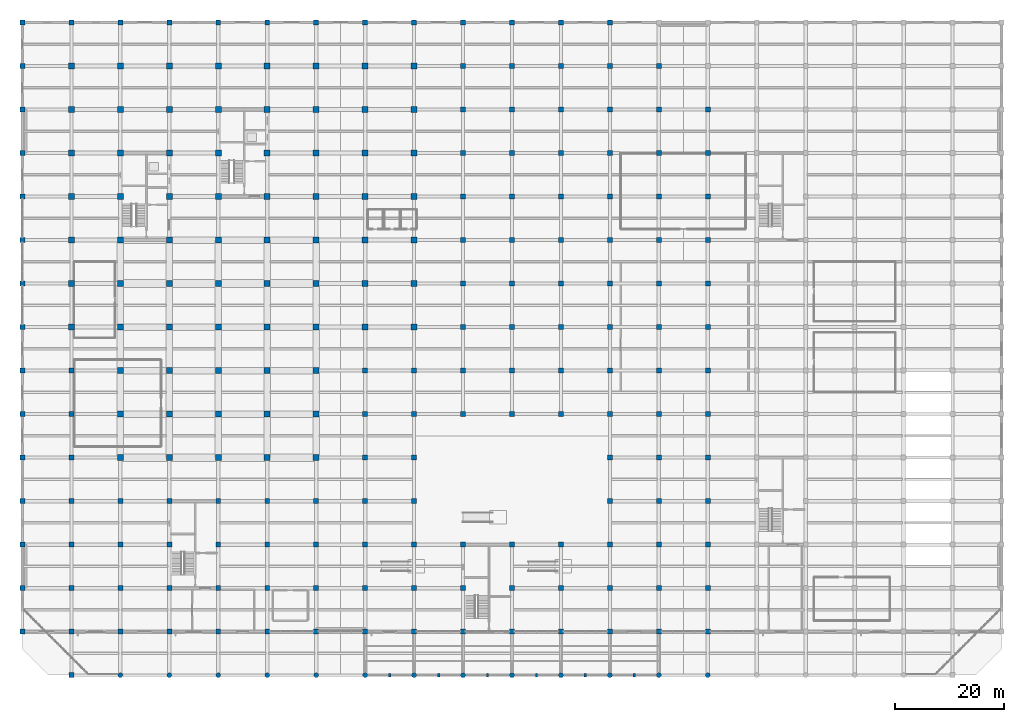
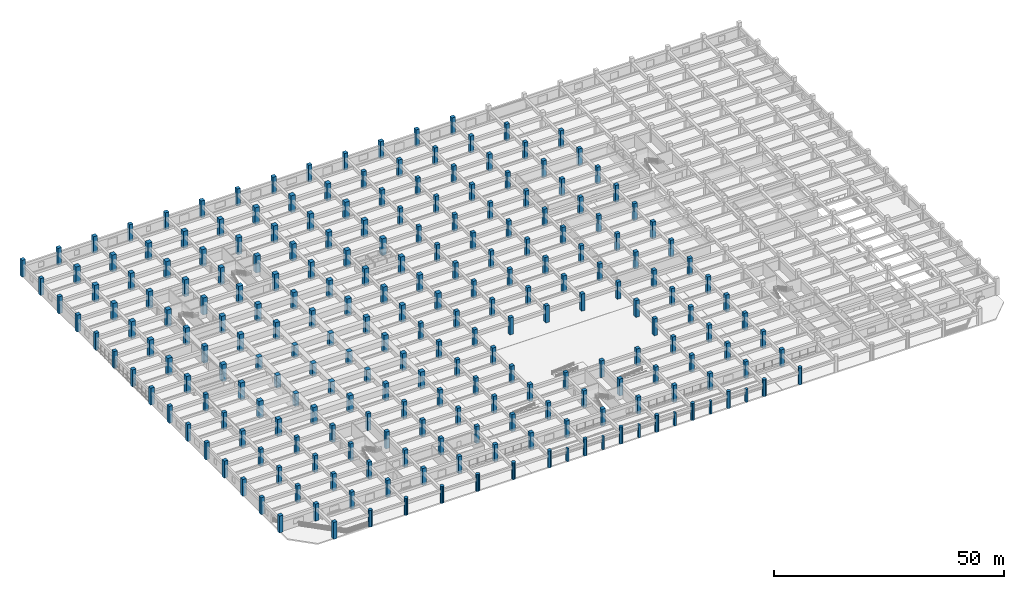
# One storey, part 1 of 40: 236 columns.
"""IFC4 building model written with IfcOpenShell, lengths in metres."""

from ifc_helpers import new_model, si_unit, direction, frame, origin, origin_2d, place, context, subcontext, project, spatial, rectangle, circle, extrude, material, material_profile, profile_set, type_object, element, save


model = new_model("IFC4")

# Units and contexts
model_context = context("Model", 3, precision=1e-05, world=origin(), true_north=direction((0.0, 1.0)))
body_context = subcontext(model_context, "Body", "Model", "MODEL_VIEW")
ifc_project = project(units=[si_unit("LENGTHUNIT", "METRE"), si_unit("AREAUNIT", "SQUARE_METRE"), si_unit("VOLUMEUNIT", "CUBIC_METRE"), si_unit("PLANEANGLEUNIT", "RADIAN"), si_unit("MASSUNIT", "GRAM", prefix="KILO")], contexts=[model_context])

# Site, building, storey
site_placement = place(None, origin())
site = spatial("IfcSite", under=ifc_project, at=site_placement, CompositionType="ELEMENT")
building_placement = place(site_placement, origin())
building = spatial("IfcBuilding", under=site, at=building_placement, Name="Zaverband Oceanarium and Marine Research Institute", CompositionType="ELEMENT")
storey_placement = place(building_placement, origin())
storey = spatial("IfcBuildingStorey", under=building, at=storey_placement, Name="L00", CompositionType="ELEMENT", Elevation=0.0)

# Columns
ifc_material_1 = material(Name="Concrete C50/60", Category="concrete")
ifc_material_profile_1 = material_profile(ifc_material_1, rectangle(XDim=1.10009765625, YDim=1.10009765625, at=origin_2d()), Name="RC1100x1100")
ifc_profile_set_1 = profile_set([ifc_material_profile_1], Name="Concrete C50/60")
column_type_1 = type_object("IfcColumnType", Name="COL-C1100", PredefinedType="COLUMN", material=ifc_profile_set_1)
for number, where, z_axis, x_axis, name in (
    (1, (9.0, 64.0, 0.0), (0.0, 0.0, 1.0), (1.0, 0.0, 0.0), "Reinforced concrete column RC1100x1100 COL-C1100"),
    (2, (9.0, 72.0, 0.0), (0.0, 0.0, 1.0), (1.0, 0.0, 0.0), "Reinforced concrete column RC1100x1100 COL-C1100"),
    (3, (9.0, 80.0, 0.0), (0.0, 0.0, 1.0), (1.0, 0.0, 0.0), "Reinforced concrete column RC1100x1100 COL-C1100"),
    (4, (9.0, 88.0, 0.0), (0.0, 0.0, 1.0), (1.0, 0.0, 0.0), "Reinforced concrete column RC1100x1100 COL-C1100"),
    (5, (9.0, 96.0, 0.0), (0.0, 0.0, 1.0), (1.0, 0.0, 0.0), "Reinforced concrete column RC1100x1100 COL-C1100"),
    (6, (9.0, 104.0, 0.0), (0.0, 0.0, 1.0), (1.0, 0.0, 0.0), "Reinforced concrete column RC1100x1100 COL-C1100"),
    (7, (9.0, 112.0, 0.0), (0.0, 0.0, 1.0), (1.0, 0.0, 0.0), "Reinforced concrete column RC1100x1100 COL-C1100"),
    (8, (18.0, 40.0, 0.0), (0.0, 0.0, 1.0), (1.0, 0.0, 0.0), "Reinforced concrete column RC1100x1100 COL-C1100"),
    (9, (18.0, 48.0, 0.0), (0.0, 0.0, 1.0), (1.0, 0.0, 0.0), "Reinforced concrete column RC1100x1100 COL-C1100"),
    (10, (18.0, 56.0, 0.0), (0.0, 0.0, 1.0), (1.0, 0.0, 0.0), "Reinforced concrete column RC1100x1100 COL-C1100"),
    (11, (18.0, 64.0, 0.0), (0.0, 0.0, 1.0), (1.0, 0.0, 0.0), "Reinforced concrete column RC1100x1100 COL-C1100"),
    (12, (18.0, 72.0, 0.0), (0.0, 0.0, 1.0), (1.0, 0.0, 0.0), "Reinforced concrete column RC1100x1100 COL-C1100"),
    (13, (18.0, 80.0, 0.0), (0.0, 0.0, 1.0), (1.0, 0.0, 0.0), "Reinforced concrete column RC1100x1100 COL-C1100"),
    (14, (18.0, 88.0, 0.0), (0.0, 0.0, 1.0), (1.0, 0.0, 0.0), "Reinforced concrete column RC1100x1100 COL-C1100"),
    (15, (18.0, 96.0, 0.0), (0.0, 0.0, 1.0), (1.0, 0.0, 0.0), "Reinforced concrete column RC1100x1100 COL-C1100"),
    (16, (18.0, 104.0, 0.0), (0.0, 0.0, 1.0), (1.0, 0.0, 0.0), "Reinforced concrete column RC1100x1100 COL-C1100"),
    (17, (18.0, 112.0, 0.0), (0.0, 0.0, 1.0), (1.0, 0.0, 0.0), "Reinforced concrete column RC1100x1100 COL-C1100"),
    (18, (27.0, 40.0, 0.0), (0.0, 0.0, 1.0), (1.0, 0.0, 0.0), "Reinforced concrete column RC1100x1100 COL-C1100"),
):
    element("IfcColumn", number, at=place(storey_placement, frame(where, z_axis=z_axis, x_axis=x_axis)), inside=storey, type_object=column_type_1, Name=name, PredefinedType="COLUMN", context=body_context, shape_type="SweptSolid", body=[
        extrude(rectangle(XDim=1.10009765625, YDim=1.10009765625, at=origin_2d()), origin(), (0.0, 0.0, 1.0), 4.5),
    ])
for number, where, z_axis, x_axis, name in (
    (19, (27.0, 48.0, 0.0), (0.0, 0.0, 1.0), (1.0, 0.0, 0.0), "Reinforced concrete column RC1100x1100 COL-C1100"),
    (20, (27.0, 56.0, 0.0), (0.0, 0.0, 1.0), (1.0, 0.0, 0.0), "Reinforced concrete column RC1100x1100 COL-C1100"),
    (21, (27.0, 64.0, 0.0), (0.0, 0.0, 1.0), (1.0, 0.0, 0.0), "Reinforced concrete column RC1100x1100 COL-C1100"),
):
    element("IfcColumn", number, at=place(storey_placement, frame(where, z_axis=z_axis, x_axis=x_axis)), inside=storey, type_object=column_type_1, Name=name, PredefinedType="COLUMN", context=body_context, shape_type="SweptSolid", body=[
        extrude(rectangle(XDim=1.10009765625, YDim=1.10009765625, at=origin_2d()), origin(), (0.0, 0.0, 1.0), 3.300048828125),
    ])
for number, where, z_axis, x_axis, name in (
    (22, (27.0, 72.0, 0.0), (0.0, 0.0, 1.0), (1.0, 0.0, 0.0), "Reinforced concrete column RC1100x1100 COL-C1100"),
    (23, (27.0, 80.0, 0.0), (0.0, 0.0, 1.0), (1.0, 0.0, 0.0), "Reinforced concrete column RC1100x1100 COL-C1100"),
    (24, (27.0, 88.0, 0.0), (0.0, 0.0, 1.0), (1.0, 0.0, 0.0), "Reinforced concrete column RC1100x1100 COL-C1100"),
    (25, (27.0, 96.0, 0.0), (0.0, 0.0, 1.0), (1.0, 0.0, 0.0), "Reinforced concrete column RC1100x1100 COL-C1100"),
    (26, (27.0, 104.0, 0.0), (0.0, 0.0, 1.0), (1.0, 0.0, 0.0), "Reinforced concrete column RC1100x1100 COL-C1100"),
    (27, (27.0, 112.0, 0.0), (0.0, 0.0, 1.0), (1.0, 0.0, 0.0), "Reinforced concrete column RC1100x1100 COL-C1100"),
    (28, (36.0, 40.0, 0.0), (0.0, 0.0, 1.0), (1.0, 0.0, 0.0), "Reinforced concrete column RC1100x1100 COL-C1100"),
):
    element("IfcColumn", number, at=place(storey_placement, frame(where, z_axis=z_axis, x_axis=x_axis)), inside=storey, type_object=column_type_1, Name=name, PredefinedType="COLUMN", context=body_context, shape_type="SweptSolid", body=[
        extrude(rectangle(XDim=1.10009765625, YDim=1.10009765625, at=origin_2d()), origin(), (0.0, 0.0, 1.0), 4.5),
    ])
for number, where, z_axis, x_axis, name in (
    (29, (36.0, 48.0, 0.0), (0.0, 0.0, 1.0), (1.0, 0.0, 0.0), "Reinforced concrete column RC1100x1100 COL-C1100"),
    (30, (36.0, 56.0, 0.0), (0.0, 0.0, 1.0), (1.0, 0.0, 0.0), "Reinforced concrete column RC1100x1100 COL-C1100"),
    (31, (36.0, 64.0, 0.0), (0.0, 0.0, 1.0), (1.0, 0.0, 0.0), "Reinforced concrete column RC1100x1100 COL-C1100"),
):
    element("IfcColumn", number, at=place(storey_placement, frame(where, z_axis=z_axis, x_axis=x_axis)), inside=storey, type_object=column_type_1, Name=name, PredefinedType="COLUMN", context=body_context, shape_type="SweptSolid", body=[
        extrude(rectangle(XDim=1.10009765625, YDim=1.10009765625, at=origin_2d()), origin(), (0.0, 0.0, 1.0), 3.300048828125),
    ])
for number, where, z_axis, x_axis, name in (
    (32, (36.0, 72.0, 0.0), (0.0, 0.0, 1.0), (1.0, 0.0, 0.0), "Reinforced concrete column RC1100x1100 COL-C1100"),
    (33, (36.0, 80.0, 0.0), (0.0, 0.0, 1.0), (1.0, 0.0, 0.0), "Reinforced concrete column RC1100x1100 COL-C1100"),
    (34, (36.0, 88.0, 0.0), (0.0, 0.0, 1.0), (1.0, 0.0, 0.0), "Reinforced concrete column RC1100x1100 COL-C1100"),
    (35, (36.0, 96.0, 0.0), (0.0, 0.0, 1.0), (1.0, 0.0, 0.0), "Reinforced concrete column RC1100x1100 COL-C1100"),
    (36, (36.0, 104.0, 0.0), (0.0, 0.0, 1.0), (1.0, 0.0, 0.0), "Reinforced concrete column RC1100x1100 COL-C1100"),
    (37, (36.0, 112.0, 0.0), (0.0, 0.0, 1.0), (1.0, 0.0, 0.0), "Reinforced concrete column RC1100x1100 COL-C1100"),
    (38, (45.0, 40.0, 0.0), (0.0, 0.0, 1.0), (1.0, 0.0, 0.0), "Reinforced concrete column RC1100x1100 COL-C1100"),
):
    element("IfcColumn", number, at=place(storey_placement, frame(where, z_axis=z_axis, x_axis=x_axis)), inside=storey, type_object=column_type_1, Name=name, PredefinedType="COLUMN", context=body_context, shape_type="SweptSolid", body=[
        extrude(rectangle(XDim=1.10009765625, YDim=1.10009765625, at=origin_2d()), origin(), (0.0, 0.0, 1.0), 4.5),
    ])
for number, where, z_axis, x_axis, name in (
    (39, (45.0, 48.0, 0.0), (0.0, 0.0, 1.0), (1.0, 0.0, 0.0), "Reinforced concrete column RC1100x1100 COL-C1100"),
    (40, (45.0, 56.0, 0.0), (0.0, 0.0, 1.0), (1.0, 0.0, 0.0), "Reinforced concrete column RC1100x1100 COL-C1100"),
    (41, (45.0, 64.0, 0.0), (0.0, 0.0, 1.0), (1.0, 0.0, 0.0), "Reinforced concrete column RC1100x1100 COL-C1100"),
):
    element("IfcColumn", number, at=place(storey_placement, frame(where, z_axis=z_axis, x_axis=x_axis)), inside=storey, type_object=column_type_1, Name=name, PredefinedType="COLUMN", context=body_context, shape_type="SweptSolid", body=[
        extrude(rectangle(XDim=1.10009765625, YDim=1.10009765625, at=origin_2d()), origin(), (0.0, 0.0, 1.0), 3.300048828125),
    ])
for number, where, z_axis, x_axis, name in (
    (42, (45.0, 72.0, 0.0), (0.0, 0.0, 1.0), (1.0, 0.0, 0.0), "Reinforced concrete column RC1100x1100 COL-C1100"),
    (43, (45.0, 80.0, 0.0), (0.0, 0.0, 1.0), (1.0, 0.0, 0.0), "Reinforced concrete column RC1100x1100 COL-C1100"),
    (44, (45.0, 88.0, 0.0), (0.0, 0.0, 1.0), (1.0, 0.0, 0.0), "Reinforced concrete column RC1100x1100 COL-C1100"),
    (45, (45.0, 96.0, 0.0), (0.0, 0.0, 1.0), (1.0, 0.0, 0.0), "Reinforced concrete column RC1100x1100 COL-C1100"),
    (46, (45.0, 104.0, 0.0), (0.0, 0.0, 1.0), (1.0, 0.0, 0.0), "Reinforced concrete column RC1100x1100 COL-C1100"),
    (47, (45.0, 112.0, 0.0), (0.0, 0.0, 1.0), (1.0, 0.0, 0.0), "Reinforced concrete column RC1100x1100 COL-C1100"),
    (48, (54.0, 40.0, 0.0), (0.0, 0.0, 1.0), (1.0, 0.0, 0.0), "Reinforced concrete column RC1100x1100 COL-C1100"),
    (49, (54.0, 48.0, 0.0), (0.0, 0.0, 1.0), (1.0, 0.0, 0.0), "Reinforced concrete column RC1100x1100 COL-C1100"),
    (50, (54.0, 56.0, 0.0), (0.0, 0.0, 1.0), (1.0, 0.0, 0.0), "Reinforced concrete column RC1100x1100 COL-C1100"),
    (51, (54.0, 64.0, 0.0), (0.0, 0.0, 1.0), (1.0, 0.0, 0.0), "Reinforced concrete column RC1100x1100 COL-C1100"),
    (52, (54.0, 72.0, 0.0), (0.0, 0.0, 1.0), (1.0, 0.0, 0.0), "Reinforced concrete column RC1100x1100 COL-C1100"),
    (53, (54.0, 80.0, 0.0), (0.0, 0.0, 1.0), (1.0, 0.0, 0.0), "Reinforced concrete column RC1100x1100 COL-C1100"),
    (54, (54.0, 88.0, 0.0), (0.0, 0.0, 1.0), (1.0, 0.0, 0.0), "Reinforced concrete column RC1100x1100 COL-C1100"),
    (55, (54.0, 96.0, 0.0), (0.0, 0.0, 1.0), (1.0, 0.0, 0.0), "Reinforced concrete column RC1100x1100 COL-C1100"),
    (56, (54.0, 104.0, 0.0), (0.0, 0.0, 1.0), (1.0, 0.0, 0.0), "Reinforced concrete column RC1100x1100 COL-C1100"),
    (57, (54.0, 112.0, 0.0), (0.0, 0.0, 1.0), (1.0, 0.0, 0.0), "Reinforced concrete column RC1100x1100 COL-C1100"),
    (58, (63.0, 64.0, 0.0), (0.0, 0.0, 1.0), (1.0, 0.0, 0.0), "Reinforced concrete column RC1100x1100 COL-C1100"),
    (59, (63.0, 72.0, 0.0), (0.0, 0.0, 1.0), (1.0, 0.0, 0.0), "Reinforced concrete column RC1100x1100 COL-C1100"),
    (60, (63.0, 80.0, 0.0), (0.0, 0.0, 1.0), (1.0, 0.0, 0.0), "Reinforced concrete column RC1100x1100 COL-C1100"),
    (61, (63.0, 88.0, 0.0), (0.0, 0.0, 1.0), (1.0, 0.0, 0.0), "Reinforced concrete column RC1100x1100 COL-C1100"),
    (62, (63.0, 96.0, 0.0), (0.0, 0.0, 1.0), (1.0, 0.0, 0.0), "Reinforced concrete column RC1100x1100 COL-C1100"),
    (63, (63.0, 104.0, 0.0), (0.0, 0.0, 1.0), (1.0, 0.0, 0.0), "Reinforced concrete column RC1100x1100 COL-C1100"),
    (64, (63.0, 112.0, 0.0), (0.0, 0.0, 1.0), (1.0, 0.0, 0.0), "Reinforced concrete column RC1100x1100 COL-C1100"),
    (65, (72.0, 64.0, 0.0), (0.0, 0.0, 1.0), (1.0, 0.0, 0.0), "Reinforced concrete column RC1100x1100 COL-C1100"),
    (66, (72.0, 72.0, 0.0), (0.0, 0.0, 1.0), (1.0, 0.0, 0.0), "Reinforced concrete column RC1100x1100 COL-C1100"),
    (67, (72.0, 80.0, 0.0), (0.0, 0.0, 1.0), (1.0, 0.0, 0.0), "Reinforced concrete column RC1100x1100 COL-C1100"),
    (68, (72.0, 88.0, 0.0), (0.0, 0.0, 1.0), (1.0, 0.0, 0.0), "Reinforced concrete column RC1100x1100 COL-C1100"),
    (69, (72.0, 96.0, 0.0), (0.0, 0.0, 1.0), (1.0, 0.0, 0.0), "Reinforced concrete column RC1100x1100 COL-C1100"),
    (70, (72.0, 104.0, 0.0), (0.0, 0.0, 1.0), (1.0, 0.0, 0.0), "Reinforced concrete column RC1100x1100 COL-C1100"),
    (71, (72.0, 112.0, 0.0), (0.0, 0.0, 1.0), (1.0, 0.0, 0.0), "Reinforced concrete column RC1100x1100 COL-C1100"),
):
    element("IfcColumn", number, at=place(storey_placement, frame(where, z_axis=z_axis, x_axis=x_axis)), inside=storey, type_object=column_type_1, Name=name, PredefinedType="COLUMN", context=body_context, shape_type="SweptSolid", body=[
        extrude(rectangle(XDim=1.10009765625, YDim=1.10009765625, at=origin_2d()), origin(), (0.0, 0.0, 1.0), 4.5),
    ])
ifc_material_profile_2 = material_profile(ifc_material_1, rectangle(XDim=0.89990234375, YDim=0.89990234375, at=origin_2d()), Name="RC900x900")
ifc_profile_set_2 = profile_set([ifc_material_profile_2], Name="Concrete C50/60")
column_type_2 = type_object("IfcColumnType", Name="COL-C900", PredefinedType="COLUMN", material=ifc_profile_set_2)
for number, where, z_axis, x_axis, name in (
    (72, (0.0, 8.0, 0.0), (0.0, 0.0, 1.0), (1.0, 0.0, 0.0), "Reinforced concrete column RC900x900 COL-C900"),
    (73, (0.0, 16.0, 0.0), (0.0, 0.0, 1.0), (1.0, 0.0, 0.0), "Reinforced concrete column RC900x900 COL-C900"),
    (74, (0.0, 24.0, 0.0), (0.0, 0.0, 1.0), (1.0, 0.0, 0.0), "Reinforced concrete column RC900x900 COL-C900"),
    (75, (0.0, 32.0, 0.0), (0.0, 0.0, 1.0), (1.0, 0.0, 0.0), "Reinforced concrete column RC900x900 COL-C900"),
    (76, (0.0, 40.0, 0.0), (0.0, 0.0, 1.0), (1.0, 0.0, 0.0), "Reinforced concrete column RC900x900 COL-C900"),
    (77, (0.0, 48.0, 0.0), (0.0, 0.0, 1.0), (1.0, 0.0, 0.0), "Reinforced concrete column RC900x900 COL-C900"),
    (78, (0.0, 56.0, 0.0), (0.0, 0.0, 1.0), (1.0, 0.0, 0.0), "Reinforced concrete column RC900x900 COL-C900"),
    (79, (0.0, 64.0, 0.0), (0.0, 0.0, 1.0), (1.0, 0.0, 0.0), "Reinforced concrete column RC900x900 COL-C900"),
    (80, (0.0, 72.0, 0.0), (0.0, 0.0, 1.0), (1.0, 0.0, 0.0), "Reinforced concrete column RC900x900 COL-C900"),
    (81, (0.0, 80.0, 0.0), (0.0, 0.0, 1.0), (1.0, 0.0, 0.0), "Reinforced concrete column RC900x900 COL-C900"),
    (82, (0.0, 88.0, 0.0), (0.0, 0.0, 1.0), (1.0, 0.0, 0.0), "Reinforced concrete column RC900x900 COL-C900"),
    (83, (0.0, 96.0, 0.0), (0.0, 0.0, 1.0), (1.0, 0.0, 0.0), "Reinforced concrete column RC900x900 COL-C900"),
    (84, (0.0, 104.0, 0.0), (0.0, 0.0, 1.0), (1.0, 0.0, 0.0), "Reinforced concrete column RC900x900 COL-C900"),
    (85, (0.0, 112.0, 0.0), (0.0, 0.0, 1.0), (1.0, 0.0, 0.0), "Reinforced concrete column RC900x900 COL-C900"),
    (86, (0.0, 120.0, 0.0), (0.0, 0.0, 1.0), (1.0, 0.0, 0.0), "Reinforced concrete column RC900x900 COL-C900"),
    (87, (9.0, 0.0, 0.0), (0.0, 0.0, 1.0), (1.0, 0.0, 0.0), "Reinforced concrete column RC900x900 COL-C900"),
    (88, (9.0, 8.0, 0.0), (0.0, 0.0, 1.0), (1.0, 0.0, 0.0), "Reinforced concrete column RC900x900 COL-C900"),
    (89, (9.0, 16.0, 0.0), (0.0, 0.0, 1.0), (1.0, 0.0, 0.0), "Reinforced concrete column RC900x900 COL-C900"),
    (90, (9.0, 24.0, 0.0), (0.0, 0.0, 1.0), (1.0, 0.0, 0.0), "Reinforced concrete column RC900x900 COL-C900"),
    (91, (9.0, 32.0, 0.0), (0.0, 0.0, 1.0), (1.0, 0.0, 0.0), "Reinforced concrete column RC900x900 COL-C900"),
    (92, (9.0, 40.0, 0.0), (0.0, 0.0, 1.0), (1.0, 0.0, 0.0), "Reinforced concrete column RC900x900 COL-C900"),
    (93, (9.0, 48.0, 0.0), (0.0, 0.0, 1.0), (1.0, 0.0, 0.0), "Reinforced concrete column RC900x900 COL-C900"),
    (94, (9.0, 56.0, 0.0), (0.0, 0.0, 1.0), (1.0, 0.0, 0.0), "Reinforced concrete column RC900x900 COL-C900"),
    (95, (9.0, 120.0, 0.0), (0.0, 0.0, 1.0), (1.0, 0.0, 0.0), "Reinforced concrete column RC900x900 COL-C900"),
    (96, (18.0, 8.0, 0.0), (0.0, 0.0, 1.0), (1.0, 0.0, 0.0), "Reinforced concrete column RC900x900 COL-C900"),
    (97, (18.0, 16.0, 0.0), (0.0, 0.0, 1.0), (1.0, 0.0, 0.0), "Reinforced concrete column RC900x900 COL-C900"),
    (98, (18.0, 24.0, 0.0), (0.0, 0.0, 1.0), (1.0, 0.0, 0.0), "Reinforced concrete column RC900x900 COL-C900"),
    (99, (18.0, 32.0, 0.0), (0.0, 0.0, 1.0), (1.0, 0.0, 0.0), "Reinforced concrete column RC900x900 COL-C900"),
    (100, (18.0, 120.0, 0.0), (0.0, 0.0, 1.0), (1.0, 0.0, 0.0), "Reinforced concrete column RC900x900 COL-C900"),
    (101, (27.0, 8.0, 0.0), (0.0, 0.0, 1.0), (1.0, 0.0, 0.0), "Reinforced concrete column RC900x900 COL-C900"),
    (102, (27.0, 16.0, 0.0), (0.0, 0.0, 1.0), (1.0, 0.0, 0.0), "Reinforced concrete column RC900x900 COL-C900"),
    (103, (27.0, 24.0, 0.0), (0.0, 0.0, 1.0), (1.0, 0.0, 0.0), "Reinforced concrete column RC900x900 COL-C900"),
    (104, (27.0, 32.0, 0.0), (0.0, 0.0, 1.0), (1.0, 0.0, 0.0), "Reinforced concrete column RC900x900 COL-C900"),
    (105, (27.0, 120.0, 0.0), (0.0, 0.0, 1.0), (1.0, 0.0, 0.0), "Reinforced concrete column RC900x900 COL-C900"),
    (106, (36.0, 8.0, 0.0), (0.0, 0.0, 1.0), (1.0, 0.0, 0.0), "Reinforced concrete column RC900x900 COL-C900"),
    (107, (36.0, 16.0, 0.0), (0.0, 0.0, 1.0), (1.0, 0.0, 0.0), "Reinforced concrete column RC900x900 COL-C900"),
    (108, (36.0, 24.0, 0.0), (0.0, 0.0, 1.0), (1.0, 0.0, 0.0), "Reinforced concrete column RC900x900 COL-C900"),
    (109, (36.0, 32.0, 0.0), (0.0, 0.0, 1.0), (1.0, 0.0, 0.0), "Reinforced concrete column RC900x900 COL-C900"),
    (110, (36.0, 120.0, 0.0), (0.0, 0.0, 1.0), (1.0, 0.0, 0.0), "Reinforced concrete column RC900x900 COL-C900"),
    (111, (45.0, 8.0, 0.0), (0.0, 0.0, 1.0), (1.0, 0.0, 0.0), "Reinforced concrete column RC900x900 COL-C900"),
    (112, (45.0, 16.0, 0.0), (0.0, 0.0, 1.0), (1.0, 0.0, 0.0), "Reinforced concrete column RC900x900 COL-C900"),
    (113, (45.0, 24.0, 0.0), (0.0, 0.0, 1.0), (1.0, 0.0, 0.0), "Reinforced concrete column RC900x900 COL-C900"),
    (114, (45.0, 32.0, 0.0), (0.0, 0.0, 1.0), (1.0, 0.0, 0.0), "Reinforced concrete column RC900x900 COL-C900"),
    (115, (45.0, 120.0, 0.0), (0.0, 0.0, 1.0), (1.0, 0.0, 0.0), "Reinforced concrete column RC900x900 COL-C900"),
    (116, (54.0, 8.0, 0.0), (0.0, 0.0, 1.0), (1.0, 0.0, 0.0), "Reinforced concrete column RC900x900 COL-C900"),
    (117, (54.0, 16.0, 0.0), (0.0, 0.0, 1.0), (1.0, 0.0, 0.0), "Reinforced concrete column RC900x900 COL-C900"),
    (118, (54.0, 24.0, 0.0), (0.0, 0.0, 1.0), (1.0, 0.0, 0.0), "Reinforced concrete column RC900x900 COL-C900"),
    (119, (54.0, 32.0, 0.0), (0.0, 0.0, 1.0), (1.0, 0.0, 0.0), "Reinforced concrete column RC900x900 COL-C900"),
    (120, (54.0, 120.0, 0.0), (0.0, 0.0, 1.0), (1.0, 0.0, 0.0), "Reinforced concrete column RC900x900 COL-C900"),
    (121, (63.0, 8.0, 0.0), (0.0, 0.0, 1.0), (1.0, 0.0, 0.0), "Reinforced concrete column RC900x900 COL-C900"),
    (122, (63.0, 16.0, 0.0), (0.0, 0.0, 1.0), (1.0, 0.0, 0.0), "Reinforced concrete column RC900x900 COL-C900"),
    (123, (63.0, 24.0, 0.0), (0.0, 0.0, 1.0), (1.0, 0.0, 0.0), "Reinforced concrete column RC900x900 COL-C900"),
    (124, (63.0, 32.0, 0.0), (0.0, 0.0, 1.0), (1.0, 0.0, 0.0), "Reinforced concrete column RC900x900 COL-C900"),
    (125, (63.0, 40.0, 0.0), (0.0, 0.0, 1.0), (1.0, 0.0, 0.0), "Reinforced concrete column RC900x900 COL-C900"),
    (126, (63.0, 48.0, 0.0), (0.0, 0.0, 1.0), (1.0, 0.0, 0.0), "Reinforced concrete column RC900x900 COL-C900"),
    (127, (63.0, 56.0, 0.0), (0.0, 0.0, 1.0), (1.0, 0.0, 0.0), "Reinforced concrete column RC900x900 COL-C900"),
    (128, (63.0, 120.0, 0.0), (0.0, 0.0, 1.0), (1.0, 0.0, 0.0), "Reinforced concrete column RC900x900 COL-C900"),
    (129, (72.0, 8.0, 0.0), (0.0, 0.0, 1.0), (1.0, 0.0, 0.0), "Reinforced concrete column RC900x900 COL-C900"),
    (130, (72.0, 16.0, 0.0), (0.0, 0.0, 1.0), (1.0, 0.0, 0.0), "Reinforced concrete column RC900x900 COL-C900"),
    (131, (72.0, 24.0, 0.0), (0.0, 0.0, 1.0), (1.0, 0.0, 0.0), "Reinforced concrete column RC900x900 COL-C900"),
    (132, (72.0, 32.0, 0.0), (0.0, 0.0, 1.0), (1.0, 0.0, 0.0), "Reinforced concrete column RC900x900 COL-C900"),
    (133, (72.0, 40.0, 0.0), (0.0, 0.0, 1.0), (1.0, 0.0, 0.0), "Reinforced concrete column RC900x900 COL-C900"),
    (134, (72.0, 48.0, 0.0), (0.0, 0.0, 1.0), (1.0, 0.0, 0.0), "Reinforced concrete column RC900x900 COL-C900"),
    (135, (72.0, 56.0, 0.0), (0.0, 0.0, 1.0), (1.0, 0.0, 0.0), "Reinforced concrete column RC900x900 COL-C900"),
    (136, (72.0, 120.0, 0.0), (0.0, 0.0, 1.0), (1.0, 0.0, 0.0), "Reinforced concrete column RC900x900 COL-C900"),
    (137, (81.0, 8.0, 0.0), (0.0, 0.0, 1.0), (1.0, 0.0, 0.0), "Reinforced concrete column RC900x900 COL-C900"),
    (138, (81.0, 16.0, 0.0), (0.0, 0.0, 1.0), (1.0, 0.0, 0.0), "Reinforced concrete column RC900x900 COL-C900"),
    (139, (81.0, 24.0, 0.0), (0.0, 0.0, 1.0), (1.0, 0.0, 0.0), "Reinforced concrete column RC900x900 COL-C900"),
    (140, (81.0, 48.0, 0.0), (0.0, 0.0, 1.0), (1.0, 0.0, 0.0), "Reinforced concrete column RC900x900 COL-C900"),
    (141, (81.0, 56.0, 0.0), (0.0, 0.0, 1.0), (1.0, 0.0, 0.0), "Reinforced concrete column RC900x900 COL-C900"),
    (142, (81.0, 64.0, 0.0), (0.0, 0.0, 1.0), (1.0, 0.0, 0.0), "Reinforced concrete column RC900x900 COL-C900"),
    (143, (81.0, 72.0, 0.0), (0.0, 0.0, 1.0), (1.0, 0.0, 0.0), "Reinforced concrete column RC900x900 COL-C900"),
    (144, (81.0, 80.0, 0.0), (0.0, 0.0, 1.0), (1.0, 0.0, 0.0), "Reinforced concrete column RC900x900 COL-C900"),
    (145, (81.0, 88.0, 0.0), (0.0, 0.0, 1.0), (1.0, 0.0, 0.0), "Reinforced concrete column RC900x900 COL-C900"),
    (146, (81.0, 96.0, 0.0), (0.0, 0.0, 1.0), (1.0, 0.0, 0.0), "Reinforced concrete column RC900x900 COL-C900"),
    (147, (81.0, 104.0, 0.0), (0.0, 0.0, 1.0), (1.0, 0.0, 0.0), "Reinforced concrete column RC900x900 COL-C900"),
    (148, (81.0, 112.0, 0.0), (0.0, 0.0, 1.0), (1.0, 0.0, 0.0), "Reinforced concrete column RC900x900 COL-C900"),
    (149, (81.0, 120.0, 0.0), (0.0, 0.0, 1.0), (1.0, 0.0, 0.0), "Reinforced concrete column RC900x900 COL-C900"),
    (150, (90.0, 8.0, 0.0), (0.0, 0.0, 1.0), (1.0, 0.0, 0.0), "Reinforced concrete column RC900x900 COL-C900"),
    (151, (90.0, 16.0, 0.0), (0.0, 0.0, 1.0), (1.0, 0.0, 0.0), "Reinforced concrete column RC900x900 COL-C900"),
    (152, (90.0, 24.0, 0.0), (0.0, 0.0, 1.0), (1.0, 0.0, 0.0), "Reinforced concrete column RC900x900 COL-C900"),
    (153, (90.0, 48.0, 0.0), (0.0, 0.0, 1.0), (1.0, 0.0, 0.0), "Reinforced concrete column RC900x900 COL-C900"),
    (154, (90.0, 56.0, 0.0), (0.0, 0.0, 1.0), (1.0, 0.0, 0.0), "Reinforced concrete column RC900x900 COL-C900"),
    (155, (90.0, 64.0, 0.0), (0.0, 0.0, 1.0), (1.0, 0.0, 0.0), "Reinforced concrete column RC900x900 COL-C900"),
    (156, (90.0, 72.0, 0.0), (0.0, 0.0, 1.0), (1.0, 0.0, 0.0), "Reinforced concrete column RC900x900 COL-C900"),
    (157, (90.0, 80.0, 0.0), (0.0, 0.0, 1.0), (1.0, 0.0, 0.0), "Reinforced concrete column RC900x900 COL-C900"),
    (158, (90.0, 88.0, 0.0), (0.0, 0.0, 1.0), (1.0, 0.0, 0.0), "Reinforced concrete column RC900x900 COL-C900"),
    (159, (90.0, 96.0, 0.0), (0.0, 0.0, 1.0), (1.0, 0.0, 0.0), "Reinforced concrete column RC900x900 COL-C900"),
    (160, (90.0, 104.0, 0.0), (0.0, 0.0, 1.0), (1.0, 0.0, 0.0), "Reinforced concrete column RC900x900 COL-C900"),
    (161, (90.0, 112.0, 0.0), (0.0, 0.0, 1.0), (1.0, 0.0, 0.0), "Reinforced concrete column RC900x900 COL-C900"),
    (162, (90.0, 120.0, 0.0), (0.0, 0.0, 1.0), (1.0, 0.0, 0.0), "Reinforced concrete column RC900x900 COL-C900"),
    (163, (99.0, 8.0, 0.0), (0.0, 0.0, 1.0), (1.0, 0.0, 0.0), "Reinforced concrete column RC900x900 COL-C900"),
    (164, (99.0, 16.0, 0.0), (0.0, 0.0, 1.0), (1.0, 0.0, 0.0), "Reinforced concrete column RC900x900 COL-C900"),
    (165, (99.0, 24.0, 0.0), (0.0, 0.0, 1.0), (1.0, 0.0, 0.0), "Reinforced concrete column RC900x900 COL-C900"),
    (166, (99.0, 48.0, 0.0), (0.0, 0.0, 1.0), (1.0, 0.0, 0.0), "Reinforced concrete column RC900x900 COL-C900"),
    (167, (99.0, 56.0, 0.0), (0.0, 0.0, 1.0), (1.0, 0.0, 0.0), "Reinforced concrete column RC900x900 COL-C900"),
    (168, (99.0, 64.0, 0.0), (0.0, 0.0, 1.0), (1.0, 0.0, 0.0), "Reinforced concrete column RC900x900 COL-C900"),
    (169, (99.0, 72.0, 0.0), (0.0, 0.0, 1.0), (1.0, 0.0, 0.0), "Reinforced concrete column RC900x900 COL-C900"),
    (170, (99.0, 80.0, 0.0), (0.0, 0.0, 1.0), (1.0, 0.0, 0.0), "Reinforced concrete column RC900x900 COL-C900"),
    (171, (99.0, 88.0, 0.0), (0.0, 0.0, 1.0), (1.0, 0.0, 0.0), "Reinforced concrete column RC900x900 COL-C900"),
    (172, (99.0, 96.0, 0.0), (0.0, 0.0, 1.0), (1.0, 0.0, 0.0), "Reinforced concrete column RC900x900 COL-C900"),
    (173, (99.0, 104.0, 0.0), (0.0, 0.0, 1.0), (1.0, 0.0, 0.0), "Reinforced concrete column RC900x900 COL-C900"),
    (174, (99.0, 112.0, 0.0), (0.0, 0.0, 1.0), (1.0, 0.0, 0.0), "Reinforced concrete column RC900x900 COL-C900"),
    (175, (99.0, 120.0, 0.0), (0.0, 0.0, 1.0), (1.0, 0.0, 0.0), "Reinforced concrete column RC900x900 COL-C900"),
    (176, (108.0, 8.0, 0.0), (0.0, 0.0, 1.0), (1.0, 0.0, 0.0), "Reinforced concrete column RC900x900 COL-C900"),
    (177, (108.0, 16.0, 0.0), (0.0, 0.0, 1.0), (1.0, 0.0, 0.0), "Reinforced concrete column RC900x900 COL-C900"),
    (178, (108.0, 24.0, 0.0), (0.0, 0.0, 1.0), (1.0, 0.0, 0.0), "Reinforced concrete column RC900x900 COL-C900"),
    (179, (108.0, 32.0, 0.0), (0.0, 0.0, 1.0), (1.0, 0.0, 0.0), "Reinforced concrete column RC900x900 COL-C900"),
    (180, (108.0, 40.0, 0.0), (0.0, 0.0, 1.0), (1.0, 0.0, 0.0), "Reinforced concrete column RC900x900 COL-C900"),
    (181, (108.0, 48.0, 0.0), (0.0, 0.0, 1.0), (1.0, 0.0, 0.0), "Reinforced concrete column RC900x900 COL-C900"),
    (182, (108.0, 56.0, 0.0), (0.0, 0.0, 1.0), (1.0, 0.0, 0.0), "Reinforced concrete column RC900x900 COL-C900"),
    (183, (108.0, 64.0, 0.0), (0.0, 0.0, 1.0), (1.0, 0.0, 0.0), "Reinforced concrete column RC900x900 COL-C900"),
    (184, (108.0, 72.0, 0.0), (0.0, 0.0, 1.0), (1.0, 0.0, 0.0), "Reinforced concrete column RC900x900 COL-C900"),
    (185, (108.0, 80.0, 0.0), (0.0, 0.0, 1.0), (1.0, 0.0, 0.0), "Reinforced concrete column RC900x900 COL-C900"),
    (186, (108.0, 88.0, 0.0), (0.0, 0.0, 1.0), (1.0, 0.0, 0.0), "Reinforced concrete column RC900x900 COL-C900"),
    (187, (108.0, 96.0, 0.0), (0.0, 0.0, 1.0), (1.0, 0.0, 0.0), "Reinforced concrete column RC900x900 COL-C900"),
    (188, (108.0, 104.0, 0.0), (0.0, 0.0, 1.0), (1.0, 0.0, 0.0), "Reinforced concrete column RC900x900 COL-C900"),
    (189, (108.0, 112.0, 0.0), (0.0, 0.0, 1.0), (1.0, 0.0, 0.0), "Reinforced concrete column RC900x900 COL-C900"),
    (190, (108.0, 120.0, 0.0), (0.0, 0.0, 1.0), (1.0, 0.0, 0.0), "Reinforced concrete column RC900x900 COL-C900"),
    (191, (117.0, 8.0, 0.0), (0.0, 0.0, 1.0), (1.0, 0.0, 0.0), "Reinforced concrete column RC900x900 COL-C900"),
    (192, (117.0, 16.0, 0.0), (0.0, 0.0, 1.0), (1.0, 0.0, 0.0), "Reinforced concrete column RC900x900 COL-C900"),
    (193, (117.0, 24.0, 0.0), (0.0, 0.0, 1.0), (1.0, 0.0, 0.0), "Reinforced concrete column RC900x900 COL-C900"),
    (194, (117.0, 32.0, 0.0), (0.0, 0.0, 1.0), (1.0, 0.0, 0.0), "Reinforced concrete column RC900x900 COL-C900"),
    (195, (117.0, 40.0, 0.0), (0.0, 0.0, 1.0), (1.0, 0.0, 0.0), "Reinforced concrete column RC900x900 COL-C900"),
    (196, (117.0, 48.0, 0.0), (0.0, 0.0, 1.0), (1.0, 0.0, 0.0), "Reinforced concrete column RC900x900 COL-C900"),
    (197, (117.0, 56.0, 0.0), (0.0, 0.0, 1.0), (1.0, 0.0, 0.0), "Reinforced concrete column RC900x900 COL-C900"),
    (198, (117.0, 64.0, 0.0), (0.0, 0.0, 1.0), (1.0, 0.0, 0.0), "Reinforced concrete column RC900x900 COL-C900"),
    (199, (117.0, 72.0, 0.0), (0.0, 0.0, 1.0), (1.0, 0.0, 0.0), "Reinforced concrete column RC900x900 COL-C900"),
    (200, (117.0, 80.0, 0.0), (0.0, 0.0, 1.0), (1.0, 0.0, 0.0), "Reinforced concrete column RC900x900 COL-C900"),
    (201, (117.0, 88.0, 0.0), (0.0, 0.0, 1.0), (1.0, 0.0, 0.0), "Reinforced concrete column RC900x900 COL-C900"),
    (202, (117.0, 96.0, 0.0), (0.0, 0.0, 1.0), (1.0, 0.0, 0.0), "Reinforced concrete column RC900x900 COL-C900"),
    (203, (117.0, 104.0, 0.0), (0.0, 0.0, 1.0), (1.0, 0.0, 0.0), "Reinforced concrete column RC900x900 COL-C900"),
    (204, (117.0, 112.0, 0.0), (0.0, 0.0, 1.0), (1.0, 0.0, 0.0), "Reinforced concrete column RC900x900 COL-C900"),
    (205, (126.0, 8.0, 0.0), (0.0, 0.0, 1.0), (1.0, 0.0, 0.0), "Reinforced concrete column RC900x900 COL-C900"),
    (206, (126.0, 16.0, 0.0), (0.0, 0.0, 1.0), (1.0, 0.0, 0.0), "Reinforced concrete column RC900x900 COL-C900"),
    (207, (126.0, 24.0, 0.0), (0.0, 0.0, 1.0), (1.0, 0.0, 0.0), "Reinforced concrete column RC900x900 COL-C900"),
    (208, (126.0, 32.0, 0.0), (0.0, 0.0, 1.0), (1.0, 0.0, 0.0), "Reinforced concrete column RC900x900 COL-C900"),
    (209, (126.0, 40.0, 0.0), (0.0, 0.0, 1.0), (1.0, 0.0, 0.0), "Reinforced concrete column RC900x900 COL-C900"),
    (210, (126.0, 48.0, 0.0), (0.0, 0.0, 1.0), (1.0, 0.0, 0.0), "Reinforced concrete column RC900x900 COL-C900"),
    (211, (126.0, 56.0, 0.0), (0.0, 0.0, 1.0), (1.0, 0.0, 0.0), "Reinforced concrete column RC900x900 COL-C900"),
    (212, (126.0, 64.0, 0.0), (0.0, 0.0, 1.0), (1.0, 0.0, 0.0), "Reinforced concrete column RC900x900 COL-C900"),
    (213, (126.0, 72.0, 0.0), (0.0, 0.0, 1.0), (1.0, 0.0, 0.0), "Reinforced concrete column RC900x900 COL-C900"),
    (214, (126.0, 80.0, 0.0), (0.0, 0.0, 1.0), (1.0, 0.0, 0.0), "Reinforced concrete column RC900x900 COL-C900"),
    (215, (126.0, 88.0, 0.0), (0.0, 0.0, 1.0), (1.0, 0.0, 0.0), "Reinforced concrete column RC900x900 COL-C900"),
    (216, (126.0, 96.0, 0.0), (0.0, 0.0, 1.0), (1.0, 0.0, 0.0), "Reinforced concrete column RC900x900 COL-C900"),
    (217, (126.0, 104.0, 0.0), (0.0, 0.0, 1.0), (1.0, 0.0, 0.0), "Reinforced concrete column RC900x900 COL-C900"),
):
    element("IfcColumn", number, at=place(storey_placement, frame(where, z_axis=z_axis, x_axis=x_axis)), inside=storey, type_object=column_type_2, Name=name, PredefinedType="COLUMN", context=body_context, shape_type="SweptSolid", body=[
        extrude(rectangle(XDim=0.89990234375, YDim=0.89990234375, at=origin_2d()), origin(), (0.0, 0.0, 1.0), 4.5),
    ])
ifc_material_profile_3 = material_profile(ifc_material_1, circle(Radius=0.449951171875, at=origin_2d()), Name="RCC900")
ifc_profile_set_3 = profile_set([ifc_material_profile_3], Name="Concrete C50/60")
column_type_3 = type_object("IfcColumnType", Name="COL-R900", PredefinedType="COLUMN", material=ifc_profile_set_3)
for number, where, z_axis, x_axis, name in (
    (218, (18.0, 0.0, 0.0), (0.0, 0.0, 1.0), (1.0, 0.0, 0.0), "Reinforced concrete column RCC900 COL-R900"),
    (219, (27.0, 0.0, 0.0), (0.0, 0.0, 1.0), (1.0, 0.0, 0.0), "Reinforced concrete column RCC900 COL-R900"),
    (220, (36.0, 0.0, 0.0), (0.0, 0.0, 1.0), (1.0, 0.0, 0.0), "Reinforced concrete column RCC900 COL-R900"),
    (221, (45.0, 0.0, 0.0), (0.0, 0.0, 1.0), (1.0, 0.0, 0.0), "Reinforced concrete column RCC900 COL-R900"),
    (222, (54.0, 0.0, 0.0), (0.0, 0.0, 1.0), (1.0, 0.0, 0.0), "Reinforced concrete column RCC900 COL-R900"),
    (223, (63.0, 0.0, 0.0), (0.0, 0.0, 1.0), (1.0, 0.0, 0.0), "Reinforced concrete column RCC900 COL-R900"),
    (224, (72.0, 0.0, 0.0), (0.0, 0.0, 1.0), (1.0, 0.0, 0.0), "Reinforced concrete column RCC900 COL-R900"),
    (225, (81.0, 0.0, 0.0), (0.0, 0.0, 1.0), (1.0, 0.0, 0.0), "Reinforced concrete column RCC900 COL-R900"),
    (226, (90.0, 0.0, 0.0), (0.0, 0.0, 1.0), (1.0, 0.0, 0.0), "Reinforced concrete column RCC900 COL-R900"),
    (227, (99.0, 0.0, 0.0), (0.0, 0.0, 1.0), (1.0, 0.0, 0.0), "Reinforced concrete column RCC900 COL-R900"),
    (228, (108.0, 0.0, 0.0), (0.0, 0.0, 1.0), (1.0, 0.0, 0.0), "Reinforced concrete column RCC900 COL-R900"),
    (229, (117.0, 0.0, 0.0), (0.0, 0.0, 1.0), (1.0, 0.0, 0.0), "Reinforced concrete column RCC900 COL-R900"),
    (230, (126.0, 0.0, 0.0), (0.0, 0.0, 1.0), (1.0, 0.0, 0.0), "Reinforced concrete column RCC900 COL-R900"),
):
    element("IfcColumn", number, at=place(storey_placement, frame(where, z_axis=z_axis, x_axis=x_axis)), inside=storey, type_object=column_type_3, Name=name, PredefinedType="COLUMN", context=body_context, shape_type="SweptSolid", body=[
        extrude(circle(Radius=0.449951171875, at=origin_2d()), origin(), (0.0, 0.0, 1.0), 4.5),
    ])
ifc_material_2 = material(Name="Concrete C40/50", Category="concrete")
ifc_material_profile_4 = material_profile(ifc_material_2, rectangle(XDim=0.449951171875, YDim=0.64990234375, at=origin_2d()), Name="RC450x650")
ifc_profile_set_4 = profile_set([ifc_material_profile_4], Name="Concrete C40/50")
column_type_4 = type_object("IfcColumnType", Name="PIL-450x650", PredefinedType="PILASTER", material=ifc_profile_set_4)
for number, where, z_axis, x_axis, name in (
    (231, (67.5, 0.0, 0.0), (0.0, 0.0, 1.0), (1.0, 0.0, 0.0), "Fluted precast/cast-in-place colonnade pilaster RC450x650 PIL-450x650"),
    (232, (76.5, 0.0, 0.0), (0.0, 0.0, 1.0), (1.0, 0.0, 0.0), "Fluted precast/cast-in-place colonnade pilaster RC450x650 PIL-450x650"),
    (233, (85.5, 0.0, 0.0), (0.0, 0.0, 1.0), (1.0, 0.0, 0.0), "Fluted precast/cast-in-place colonnade pilaster RC450x650 PIL-450x650"),
    (234, (94.5, 0.0, 0.0), (0.0, 0.0, 1.0), (1.0, 0.0, 0.0), "Fluted precast/cast-in-place colonnade pilaster RC450x650 PIL-450x650"),
    (235, (103.5, 0.0, 0.0), (0.0, 0.0, 1.0), (1.0, 0.0, 0.0), "Fluted precast/cast-in-place colonnade pilaster RC450x650 PIL-450x650"),
    (236, (112.5, 0.0, 0.0), (0.0, 0.0, 1.0), (1.0, 0.0, 0.0), "Fluted precast/cast-in-place colonnade pilaster RC450x650 PIL-450x650"),
):
    element("IfcColumn", number, at=place(storey_placement, frame(where, z_axis=z_axis, x_axis=x_axis)), inside=storey, type_object=column_type_4, Name=name, PredefinedType="PILASTER", context=body_context, shape_type="SweptSolid", body=[
        extrude(rectangle(XDim=0.449951171875, YDim=0.64990234375, at=origin_2d()), origin(), (0.0, 0.0, 1.0), 3.449951171875),
    ])

save(model, "model.ifc")
